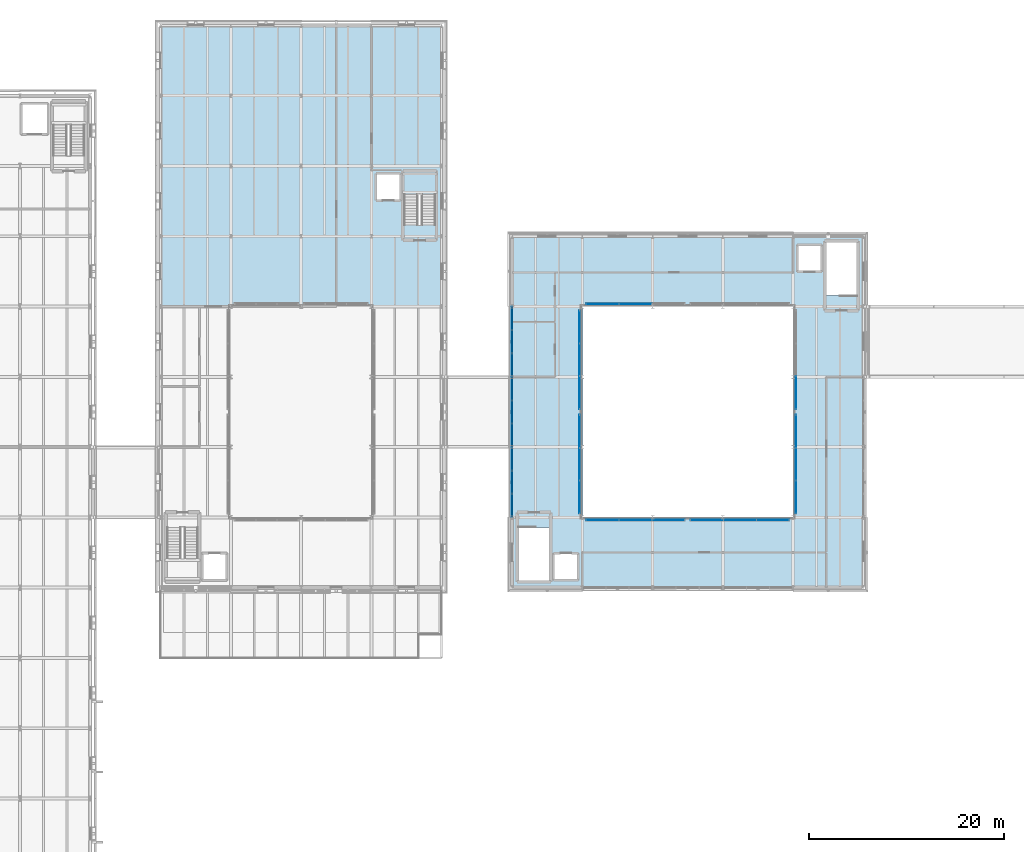
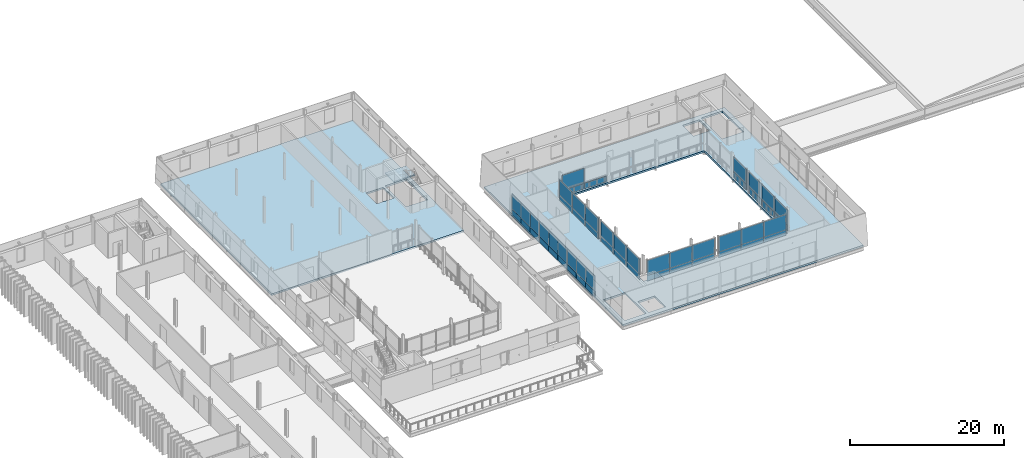
# One storey, part 48 of 91: 53 plates, 3 slabs, 11 elements without a shape of their own.
"""IFC4 building model written with IfcOpenShell, lengths in metres."""

import ifcopenshell
import ifcopenshell.guid

model = None  # the IFC model being written
_history = None  # IfcOwnerHistory: only IFC2X3 demands one
_inside = {}  # id of a spatial element -> (the spatial element, [elements in it])
_under = {}  # id of a project, library or spatial element -> (it, [spatial elements below it])
_declared = {}  # id of a project -> (the project, [libraries it declares])
_typed = {}  # id of a type object -> (the type object, [elements of that type])
_made_of = {}  # id of a material, layer set ... -> (it, [elements and type objects made of it])


def new_model(schema):
    """Start an empty IFC model of exactly this schema.

    Asked for "IFC4X3", IfcOpenShell would pick the latest addendum, in which some entities
    have other attributes; the version numbers below select the first issue.
    IFC2X3 requires an IfcOwnerHistory on every rooted entity: one is made here for all.
    """
    global model, _history
    if schema == "IFC4X3":
        model = ifcopenshell.file(schema_version=(4, 3, 0, 0))
    else:
        model = ifcopenshell.file(schema=schema)
    _inside.clear()
    _under.clear()
    _declared.clear()
    _typed.clear()
    _made_of.clear()
    _history = None
    if model.schema == "IFC2X3":
        org = make("IfcOrganization", Name="unknown")
        user = make(
            "IfcPersonAndOrganization",
            ThePerson=make("IfcPerson", FamilyName="unknown"),
            TheOrganization=org,
        )
        app = make(
            "IfcApplication",
            ApplicationDeveloper=org,
            Version="unknown",
            ApplicationFullName="unknown",
            ApplicationIdentifier="unknown",
        )
        _history = make(
            "IfcOwnerHistory",
            OwningUser=user,
            OwningApplication=app,
            ChangeAction="ADDED",
            CreationDate=0,
        )
    return model


def make(cls, **values):
    """One entity of the class cls with the attributes given. An attribute that is None is left unset."""
    return model.create_entity(
        cls, **{name: value for name, value in values.items() if value is not None}
    )


def rooted(cls, **values):
    """An entity with a GlobalId (a new one), such as an element, a storey or a relation."""
    return make(cls, GlobalId=ifcopenshell.guid.new(), OwnerHistory=_history, **values)


def si_unit(unit_type, name, prefix=None):
    """IfcSIUnit, for example si_unit("LENGTHUNIT", "METRE", prefix="MILLI")."""
    return make("IfcSIUnit", UnitType=unit_type, Prefix=prefix, Name=name)


def assignment(units):
    """IfcUnitAssignment: the units of a project."""
    return None if units is None else make("IfcUnitAssignment", Units=units)


def point(xyz):
    """IfcCartesianPoint."""
    return None if xyz is None else make("IfcCartesianPoint", Coordinates=xyz)


def direction(xyz):
    """IfcDirection."""
    return None if xyz is None else make("IfcDirection", DirectionRatios=xyz)


def frame(location, z_axis=None, x_axis=None):
    """IfcAxis2Placement3D, a coordinate frame: its origin and axes. An axis left out is left unset."""
    return make(
        "IfcAxis2Placement3D",
        Location=point(location),
        Axis=direction(z_axis),
        RefDirection=direction(x_axis),
    )


def frame_2d(location, x_axis=None):
    """IfcAxis2Placement2D, a coordinate frame in the plane: its origin and x axis."""
    return make(
        "IfcAxis2Placement2D", Location=point(location), RefDirection=direction(x_axis)
    )


def origin():
    """The frame at (0, 0, 0) with its axes left unset."""
    return frame((0.0, 0.0, 0.0))


def origin_2d():
    """The frame at (0, 0) in the plane with its x axis left unset."""
    return frame_2d((0.0, 0.0))


def place(relative_to, where):
    """IfcLocalPlacement: puts the frame where relative to a parent placement (None: the world)."""
    return make(
        "IfcLocalPlacement", PlacementRelTo=relative_to, RelativePlacement=where
    )


def context(
    kind, dimensions, precision=None, world=None, true_north=None, identifier=None
):
    """IfcGeometricRepresentationContext, for example the 3D "Model" context."""
    return make(
        "IfcGeometricRepresentationContext",
        ContextIdentifier=identifier,
        ContextType=kind,
        CoordinateSpaceDimension=dimensions,
        Precision=precision,
        WorldCoordinateSystem=world,
        TrueNorth=true_north,
    )


def subcontext(parent, identifier, kind, view, scale=None):
    """IfcGeometricRepresentationSubContext, for example "Body" below "Model"."""
    return make(
        "IfcGeometricRepresentationSubContext",
        ContextIdentifier=identifier,
        ContextType=kind,
        ParentContext=parent,
        TargetScale=scale,
        TargetView=view,
    )


def project(units=None, contexts=None):
    """IfcProject with its units and contexts."""
    return rooted(
        "IfcProject",
        Name="project",
        RepresentationContexts=contexts,
        UnitsInContext=assignment(units),
    )


def spatial(cls, under=None, at=None, **own):
    """A site, building, storey or space (cls), placed at a placement, below another one or the project."""
    s = rooted(cls, ObjectPlacement=at, **own)
    if under is not None:
        _under.setdefault(under.id(), (under, []))[1].append(s)
    return s


def polyline(points):
    """IfcPolyline through the points."""
    return make("IfcPolyline", Points=[point(p) for p in points])


def profile(cls, at=None, kind="AREA", **sizes):
    """A parametric profile (cls). Its sizes go by their IFC names, for example OverallWidth=200.0."""
    return make(cls, ProfileType=kind, Position=at, **sizes)


def rectangle(**sizes):
    """IfcRectangleProfileDef."""
    return profile("IfcRectangleProfileDef", **sizes)


def outline(outer, holes=None, kind="AREA"):
    """IfcArbitraryClosedProfileDef: a profile drawn as a closed curve; with holes, ...WithVoids."""
    if holes is None:
        return make("IfcArbitraryClosedProfileDef", ProfileType=kind, OuterCurve=outer)
    return make(
        "IfcArbitraryProfileDefWithVoids",
        ProfileType=kind,
        OuterCurve=outer,
        InnerCurves=holes,
    )


def extrude(swept, where, along, depth):
    """IfcExtrudedAreaSolid: the profile swept, set in the frame where, extruded along a direction by depth."""
    return make(
        "IfcExtrudedAreaSolid",
        SweptArea=swept,
        Position=where,
        ExtrudedDirection=direction(along),
        Depth=depth,
    )


def shape(context_of_items, identifier, shape_type, items):
    """IfcShapeRepresentation: the items that make up one representation, for example the "Body"."""
    return make(
        "IfcShapeRepresentation",
        ContextOfItems=context_of_items,
        RepresentationIdentifier=identifier,
        RepresentationType=shape_type,
        Items=items,
    )


def material(Name=None, Category=None):
    """IfcMaterial."""
    return make("IfcMaterial", Name=Name, Category=Category)


def layer(
    of_material, thickness, ventilated=None, Name=None, Category=None, Priority=None
):
    """IfcMaterialLayer: one layer of a wall or slab, of a material (None: an air gap)."""
    return make(
        "IfcMaterialLayer",
        Material=of_material,
        LayerThickness=thickness,
        IsVentilated=ventilated,
        Name=Name,
        Category=Category,
        Priority=Priority,
    )


def layer_set(layers, Name=None):
    """IfcMaterialLayerSet."""
    return make("IfcMaterialLayerSet", MaterialLayers=layers, LayerSetName=Name)


def made_of(thing, what):
    """Note that an element or type object is made of a material, layer set ...; save() writes the relation."""
    if what is not None:
        _made_of.setdefault(what.id(), (what, []))[1].append(thing)
    return thing


def type_object(cls, material=None, **own):
    """A type object (cls), such as IfcWallType, which elements share."""
    return made_of(rooted(cls, **own), material)


def element(
    cls,
    number,
    at=None,
    inside=None,
    cuts=None,
    type_object=None,
    material=None,
    context=None,
    identifier="Body",
    shape_type=None,
    held_by="IfcProductDefinitionShape",
    body=None,
    shapes=None,
    **own,
):
    """One element of the class cls, such as IfcWall. Its Tag is "e" and its number.

    at: its placement. inside: the storey or other place that contains it. cuts: it is an
    opening in that element (IfcRelVoidsElement). A single representation is given by context,
    identifier, shape_type and body (its items); several are given by shapes. held_by: the class
    of the entity that holds the representations. save() writes the other relations.
    """
    e = rooted(cls, Tag="e%d" % number, ObjectPlacement=at, **own)
    if body is not None:
        shapes = [shape(context, identifier, shape_type, body)]
    if shapes is not None:
        e.Representation = make(held_by, Representations=shapes)
    if inside is not None:
        _inside.setdefault(inside.id(), (inside, []))[1].append(e)
    if cuts is not None:
        rooted(
            "IfcRelVoidsElement", RelatingBuildingElement=cuts, RelatedOpeningElement=e
        )
    if type_object is not None:
        _typed.setdefault(type_object.id(), (type_object, []))[1].append(e)
    return made_of(e, material)


def aggregate(whole, parts):
    """IfcRelAggregates: a whole, such as a stair, and the parts it consists of."""
    return rooted("IfcRelAggregates", RelatingObject=whole, RelatedObjects=parts)


def save(model, path):
    """Write the relations noted so far, then the file.

    IfcRelAggregates (storeys below a building ...), IfcRelContainedInSpatialStructure (elements
    in a storey), IfcRelDefinesByType, IfcRelAssociatesMaterial and IfcRelDeclares: one each for
    every whole, place, type object, material and project.
    """
    for whole, parts in _under.values():
        aggregate(whole, parts)
    for where, things in _inside.values():
        rooted(
            "IfcRelContainedInSpatialStructure",
            RelatedElements=things,
            RelatingStructure=where,
        )
    for kind, things in _typed.values():
        rooted("IfcRelDefinesByType", RelatedObjects=things, RelatingType=kind)
    for what, things in _made_of.values():
        rooted("IfcRelAssociatesMaterial", RelatedObjects=things, RelatingMaterial=what)
    for by, libraries in _declared.values():
        rooted("IfcRelDeclares", RelatingContext=by, RelatedDefinitions=libraries)
    model.write(path)


model = new_model("IFC4")

# Units and contexts
model_context = context("Model", 3, precision=1e-05, world=origin(), true_north=direction((0.0, 1.0)))
body_context = subcontext(model_context, "Body", "Model", "MODEL_VIEW")
ifc_project = project(units=[si_unit("LENGTHUNIT", "METRE"), si_unit("AREAUNIT", "SQUARE_METRE"), si_unit("VOLUMEUNIT", "CUBIC_METRE"), si_unit("PLANEANGLEUNIT", "RADIAN"), si_unit("MASSUNIT", "GRAM", prefix="KILO")], contexts=[model_context])

# Site, building, storey
site_placement = place(None, origin())
site = spatial("IfcSite", under=ifc_project, at=site_placement, CompositionType="ELEMENT")
building_placement = place(site_placement, origin())
building = spatial("IfcBuilding", under=site, at=building_placement, Name="Narikvali Park Central Library", CompositionType="ELEMENT")
storey_placement = place(building_placement, frame((0.0, 0.0, 14.39990234375)))
storey = spatial("IfcBuildingStorey", under=building, at=storey_placement, Name="L03", CompositionType="ELEMENT", Elevation=14.39990234375)

# Slabs
ifc_material_1 = material(Name="Concrete C35/45", Category="concrete")
ifc_layer_1 = layer(ifc_material_1, 0.280029296875, Name="Concrete C35/45")
ifc_layer_set_1 = layer_set([ifc_layer_1], Name="Concrete C35/45")
slab_type_1 = type_object("IfcSlabType", Name="Composite Reading Floor Slab 280", PredefinedType="FLOOR", material=ifc_layer_set_1)
slab_1_placement = place(storey_placement, frame((0.0, 0.0, -0.27978515625)))
element("IfcSlab", 1, at=slab_1_placement, inside=storey, type_object=slab_type_1, Name="V1 L03 Structural Slab", PredefinedType="FLOOR", context=body_context, shape_type="SweptSolid", body=[
    extrude(outline(polyline([(64.800048828125, 57.60009765625), (100.800048828125, 57.60009765625), (100.800048828125, 93.60009765625), (64.800048828125, 93.60009765625), (64.800048828125, 57.60009765625)]), holes=[polyline([(65.449951171875, 58.300048828125), (68.64990234375, 58.300048828125), (68.64990234375, 63.75), (65.449951171875, 63.75), (65.449951171875, 58.300048828125)]), polyline([(69.050048828125, 58.35009765625), (71.60009765625, 58.35009765625), (71.60009765625, 61.14990234375), (69.050048828125, 61.14990234375), (69.050048828125, 58.35009765625)]), polyline([(96.949951171875, 87.550048828125), (100.14990234375, 87.550048828125), (100.14990234375, 93.0), (96.949951171875, 93.0), (96.949951171875, 87.550048828125)]), polyline([(94.0, 89.949951171875), (96.550048828125, 89.949951171875), (96.550048828125, 92.75), (94.0, 92.75), (94.0, 89.949951171875)]), polyline([(72.0, 64.800048828125), (93.60009765625, 64.800048828125), (93.60009765625, 86.39990234375), (72.0, 86.39990234375), (72.0, 64.800048828125)])]), origin(), (0.0, 0.0, 1.0), 0.27978515625),
])
slab_2_placement = place(storey_placement, frame((0.0, 0.0, -0.27978515625)))
element("IfcSlab", 2, at=slab_2_placement, inside=storey, type_object=slab_type_1, Name="V4 L03 Structural Slab Panel 2", PredefinedType="FLOOR", context=body_context, shape_type="SweptSolid", body=[
    extrude(outline(polyline([(28.800048828125, 86.39990234375), (57.60009765625, 86.39990234375), (57.60009765625, 115.199951171875), (28.800048828125, 115.199951171875), (28.800048828125, 86.39990234375)]), holes=[polyline([(53.75, 94.75), (56.949951171875, 94.75), (56.949951171875, 100.199951171875), (53.75, 100.199951171875), (53.75, 94.75)]), polyline([(50.85009765625, 97.25), (53.39990234375, 97.25), (53.39990234375, 100.050048828125), (50.85009765625, 100.050048828125), (50.85009765625, 97.25)])]), origin(), (0.0, 0.0, 1.0), 0.27978515625),
])

# Curtain wall, plate
ifc_material_2 = material(Name="Anodised Bronze Aluminium", Category="aluminium")
ifc_layer_2 = layer(ifc_material_2, 0.219970703125, Name="Anodised Bronze Aluminium")
ifc_layer_set_2 = layer_set([ifc_layer_2], Name="Anodised Bronze Aluminium")
curtain_wall_type_1 = type_object("IfcCurtainWallType", Name="Rotunda Drum Clerestory Curtain Wall", PredefinedType="NOTDEFINED", material=ifc_layer_set_2)
curtain_wall_1_placement = place(storey_placement, origin())
curtain_wall_1 = element("IfcCurtainWall", 3, at=curtain_wall_1_placement, inside=storey, type_object=curtain_wall_type_1, Name="Rotunda Drum Clerestory Curtain Wall CW-V1-L03-W-02", PredefinedType="NOTDEFINED")
ifc_material_3 = material(Name="Anodised Bronze Acoustic Spandrel Cassette")
ifc_layer_3 = layer(ifc_material_3, 0.1650390625, Name="Anodised Bronze Acoustic Spandrel Cassette")
ifc_layer_set_3 = layer_set([ifc_layer_3], Name="Anodised Bronze Acoustic Spandrel Cassette")
plate_type_1 = type_object("IfcPlateType", Name="Curtain Wall Acoustic Plenum Louvre Cassette 165", PredefinedType="CURTAIN_PANEL", material=ifc_layer_set_3)
plate_1_placement = place(storey_placement, frame((64.800048828125, 80.42529296875, 0.03515625), z_axis=(0.0, 0.0, 1.0), x_axis=(0.0, -1.0, 0.0)))
plate_1 = element("IfcPlate", 4, at=plate_1_placement, type_object=plate_type_1, Name="CW-V1-L03-W-02 Panel 02-0", PredefinedType="CURTAIN_PANEL", context=body_context, shape_type="SweptSolid", body=[
    extrude(rectangle(XDim=2.36474609375, YDim=0.1650390625, at=origin_2d()), origin(), (0.0, 0.0, 1.0), 0.860107421875),
])

curtain_wall_2_placement = place(storey_placement, origin())
curtain_wall_2 = element("IfcCurtainWall", 5, at=curtain_wall_2_placement, inside=storey, type_object=curtain_wall_type_1, Name="Rotunda Drum Clerestory Curtain Wall CW-V1-L03-W-03", PredefinedType="NOTDEFINED")
plate_2_placement = place(storey_placement, frame((64.800048828125, 75.60009765625, 0.03515625), z_axis=(0.0, 0.0, 1.0), x_axis=(0.0, -1.0, 0.0)))
plate_2 = element("IfcPlate", 6, at=plate_2_placement, type_object=plate_type_1, Name="CW-V1-L03-W-03 Panel 01-0", PredefinedType="CURTAIN_PANEL", context=body_context, shape_type="SweptSolid", body=[
    extrude(rectangle(XDim=2.36474609375, YDim=0.1650390625, at=origin_2d()), origin(), (0.0, 0.0, 1.0), 0.860107421875),
])

curtain_wall_3_placement = place(storey_placement, origin())
curtain_wall_3 = element("IfcCurtainWall", 7, at=curtain_wall_3_placement, inside=storey, type_object=curtain_wall_type_1, Name="Rotunda Drum Clerestory Curtain Wall CW-V1-L03-W-04", PredefinedType="NOTDEFINED")
plate_3_placement = place(storey_placement, frame((64.800048828125, 70.774658203125, 0.03515625), z_axis=(0.0, 0.0, 1.0), x_axis=(0.0, -1.0, 0.0)))
plate_3 = element("IfcPlate", 8, at=plate_3_placement, type_object=plate_type_1, Name="CW-V1-L03-W-04 Panel 00-0", PredefinedType="CURTAIN_PANEL", context=body_context, shape_type="SweptSolid", body=[
    extrude(rectangle(XDim=2.36474609375, YDim=0.1650390625, at=origin_2d()), origin(), (0.0, 0.0, 1.0), 0.860107421875),
])

# Plate
ifc_material_4 = material(Name="Heavy Acoustic Laminated Clerestory Glazing", Category="glass")
ifc_layer_4 = layer(ifc_material_4, 0.06396484375, Name="Heavy Acoustic Laminated Clerestory Glazing")
ifc_layer_set_4 = layer_set([ifc_layer_4], Name="Heavy Acoustic Laminated Clerestory Glazing")
plate_type_2 = type_object("IfcPlateType", Name="Curtain Wall Clerestory Laminated Acoustic Glass 64", PredefinedType="CURTAIN_PANEL", material=ifc_layer_set_4)
plate_4_placement = place(storey_placement, frame((64.800048828125, 77.974609375, 0.905029296875), z_axis=(0.0, 0.0, 1.0), x_axis=(0.0, -1.0, 0.0)))
plate_4 = element("IfcPlate", 9, at=plate_4_placement, type_object=plate_type_2, Name="CW-V1-L03-W-03 Panel 00-1", PredefinedType="CURTAIN_PANEL", context=body_context, shape_type="SweptSolid", body=[
    extrude(rectangle(XDim=2.36474609375, YDim=0.06396484375, at=origin_2d()), origin(), (0.0, 0.0, 1.0), 2.39990234375),
])

plate_5_placement = place(storey_placement, frame((64.800048828125, 75.60009765625, 0.905029296875), z_axis=(0.0, 0.0, 1.0), x_axis=(0.0, -1.0, 0.0)))
plate_5 = element("IfcPlate", 10, at=plate_5_placement, type_object=plate_type_2, Name="CW-V1-L03-W-03 Panel 01-1", PredefinedType="CURTAIN_PANEL", context=body_context, shape_type="SweptSolid", body=[
    extrude(rectangle(XDim=2.36474609375, YDim=0.06396484375, at=origin_2d()), origin(), (0.0, 0.0, 1.0), 2.39990234375),
])

plate_6_placement = place(storey_placement, frame((64.800048828125, 73.225341796875, 0.905029296875), z_axis=(0.0, 0.0, 1.0), x_axis=(0.0, -1.0, 0.0)))
plate_6 = element("IfcPlate", 11, at=plate_6_placement, type_object=plate_type_2, Name="CW-V1-L03-W-03 Panel 02-1", PredefinedType="CURTAIN_PANEL", context=body_context, shape_type="SweptSolid", body=[
    extrude(rectangle(XDim=2.36474609375, YDim=0.06396484375, at=origin_2d()), origin(), (0.0, 0.0, 1.0), 2.39990234375),
])

# Curtain wall, plates
ifc_layer_5 = layer(ifc_material_2, 0.219970703125, Name="Anodised Bronze Aluminium")
ifc_layer_set_5 = layer_set([ifc_layer_5], Name="Anodised Bronze Aluminium")
curtain_wall_type_2 = type_object("IfcCurtainWallType", Name="Atrium Tall Curtain Wall System", PredefinedType="NOTDEFINED", material=ifc_layer_set_5)
curtain_wall_4_placement = place(storey_placement, origin())
curtain_wall_4 = element("IfcCurtainWall", 12, at=curtain_wall_4_placement, inside=storey, type_object=curtain_wall_type_2, Name="Atrium Tall Curtain Wall System CW-INT-V1-L03-W2", PredefinedType="NOTDEFINED")
plate_7_placement = place(storey_placement, frame((71.719970703125, 77.583251953125, 0.905029296875), z_axis=(0.0, 0.0, 1.0), x_axis=(0.0, 1.0, 0.0)))
plate_7 = element("IfcPlate", 13, at=plate_7_placement, type_object=plate_type_2, Name="CW-INT-V1-L03-W2 Panel 00-1", PredefinedType="CURTAIN_PANEL", context=body_context, shape_type="SweptSolid", body=[
    extrude(rectangle(XDim=3.356689453125, YDim=0.06396484375, at=origin_2d()), origin(), (0.0, 0.0, 1.0), 2.39990234375),
])
plate_8_placement = place(storey_placement, frame((71.719970703125, 80.949951171875, 0.905029296875), z_axis=(0.0, 0.0, 1.0), x_axis=(0.0, 1.0, 0.0)))
plate_8 = element("IfcPlate", 14, at=plate_8_placement, type_object=plate_type_2, Name="CW-INT-V1-L03-W2 Panel 01-1", PredefinedType="CURTAIN_PANEL", context=body_context, shape_type="SweptSolid", body=[
    extrude(rectangle(XDim=3.356689453125, YDim=0.06396484375, at=origin_2d()), origin(), (0.0, 0.0, 1.0), 2.39990234375),
])
plate_9_placement = place(storey_placement, frame((71.719970703125, 84.316650390625, 0.905029296875), z_axis=(0.0, 0.0, 1.0), x_axis=(0.0, 1.0, 0.0)))
plate_9 = element("IfcPlate", 15, at=plate_9_placement, type_object=plate_type_2, Name="CW-INT-V1-L03-W2 Panel 02-1", PredefinedType="CURTAIN_PANEL", context=body_context, shape_type="SweptSolid", body=[
    extrude(rectangle(XDim=3.356689453125, YDim=0.06396484375, at=origin_2d()), origin(), (0.0, 0.0, 1.0), 2.39990234375),
])

curtain_wall_5_placement = place(storey_placement, origin())
curtain_wall_5 = element("IfcCurtainWall", 16, at=curtain_wall_5_placement, inside=storey, type_object=curtain_wall_type_2, Name="Atrium Tall Curtain Wall System CW-INT-V1-L03-E1", PredefinedType="NOTDEFINED")
plate_10_placement = place(storey_placement, frame((93.8798828125, 66.88330078125, 0.03515625), z_axis=(0.0, 0.0, 1.0), x_axis=(0.0, 1.0, 0.0)))
plate_10 = element("IfcPlate", 17, at=plate_10_placement, type_object=plate_type_2, Name="CW-INT-V1-L03-E1 Panel 00-0", PredefinedType="CURTAIN_PANEL", context=body_context, shape_type="SweptSolid", body=[
    extrude(rectangle(XDim=3.356689453125, YDim=0.06396484375, at=origin_2d()), origin(), (0.0, 0.0, 1.0), 0.860107421875),
])
plate_11_placement = place(storey_placement, frame((93.8798828125, 70.25, 0.03515625), z_axis=(0.0, 0.0, 1.0), x_axis=(0.0, 1.0, 0.0)))
plate_11 = element("IfcPlate", 18, at=plate_11_placement, type_object=plate_type_2, Name="CW-INT-V1-L03-E1 Panel 01-0", PredefinedType="CURTAIN_PANEL", context=body_context, shape_type="SweptSolid", body=[
    extrude(rectangle(XDim=3.356689453125, YDim=0.06396484375, at=origin_2d()), origin(), (0.0, 0.0, 1.0), 0.860107421875),
])
plate_12_placement = place(storey_placement, frame((93.8798828125, 73.61669921875, 0.03515625), z_axis=(0.0, 0.0, 1.0), x_axis=(0.0, 1.0, 0.0)))
plate_12 = element("IfcPlate", 19, at=plate_12_placement, type_object=plate_type_2, Name="CW-INT-V1-L03-E1 Panel 02-0", PredefinedType="CURTAIN_PANEL", context=body_context, shape_type="SweptSolid", body=[
    extrude(rectangle(XDim=3.356689453125, YDim=0.06396484375, at=origin_2d()), origin(), (0.0, 0.0, 1.0), 0.860107421875),
])

# Curtain wall, plate
curtain_wall_6_placement = place(storey_placement, origin())
curtain_wall_6 = element("IfcCurtainWall", 20, at=curtain_wall_6_placement, inside=storey, type_object=curtain_wall_type_2, Name="Atrium Tall Curtain Wall System CW-INT-V1-L03-N1", PredefinedType="NOTDEFINED")
plate_13_placement = place(storey_placement, frame((74.083251953125, 86.679931640625, 0.905029296875), z_axis=(0.0, 0.0, 1.0), x_axis=(1.0, 0.0, 0.0)))
plate_13 = element("IfcPlate", 21, at=plate_13_placement, type_object=plate_type_2, Name="CW-INT-V1-L03-N1 Panel 00-1", PredefinedType="CURTAIN_PANEL", context=body_context, shape_type="SweptSolid", body=[
    extrude(rectangle(XDim=3.356689453125, YDim=0.06396484375, at=origin_2d()), origin(), (0.0, 0.0, 1.0), 2.39990234375),
])

# Curtain wall, plates
curtain_wall_7_placement = place(storey_placement, origin())
curtain_wall_7 = element("IfcCurtainWall", 22, at=curtain_wall_7_placement, inside=storey, type_object=curtain_wall_type_2, Name="Atrium Tall Curtain Wall System CW-INT-V1-L03-S2", PredefinedType="NOTDEFINED")
plate_14_placement = place(storey_placement, frame((84.783203125, 64.52001953125, 0.905029296875), z_axis=(0.0, 0.0, 1.0), x_axis=(1.0, 0.0, 0.0)))
plate_14 = element("IfcPlate", 23, at=plate_14_placement, type_object=plate_type_2, Name="CW-INT-V1-L03-S2 Panel 00-1", PredefinedType="CURTAIN_PANEL", context=body_context, shape_type="SweptSolid", body=[
    extrude(rectangle(XDim=3.356689453125, YDim=0.06396484375, at=origin_2d()), origin(), (0.0, 0.0, 1.0), 2.39990234375),
])
plate_15_placement = place(storey_placement, frame((88.14990234375, 64.52001953125, 0.905029296875), z_axis=(0.0, 0.0, 1.0), x_axis=(1.0, 0.0, 0.0)))
plate_15 = element("IfcPlate", 24, at=plate_15_placement, type_object=plate_type_2, Name="CW-INT-V1-L03-S2 Panel 01-1", PredefinedType="CURTAIN_PANEL", context=body_context, shape_type="SweptSolid", body=[
    extrude(rectangle(XDim=3.356689453125, YDim=0.06396484375, at=origin_2d()), origin(), (0.0, 0.0, 1.0), 2.39990234375),
])
plate_16_placement = place(storey_placement, frame((91.5166015625, 64.52001953125, 0.905029296875), z_axis=(0.0, 0.0, 1.0), x_axis=(1.0, 0.0, 0.0)))
plate_16 = element("IfcPlate", 25, at=plate_16_placement, type_object=plate_type_2, Name="CW-INT-V1-L03-S2 Panel 02-1", PredefinedType="CURTAIN_PANEL", context=body_context, shape_type="SweptSolid", body=[
    extrude(rectangle(XDim=3.356689453125, YDim=0.06396484375, at=origin_2d()), origin(), (0.0, 0.0, 1.0), 2.39990234375),
])

# Plate
ifc_material_5 = material(Name="Double Low-E Tempered Vision Glazing", Category="glass")
ifc_layer_6 = layer(ifc_material_5, 0.035888671875, Name="Double Low-E Tempered Vision Glazing")
ifc_layer_set_6 = layer_set([ifc_layer_6], Name="Double Low-E Tempered Vision Glazing")
plate_type_3 = type_object("IfcPlateType", Name="Curtain Wall Double Low-E Vision Glazing 36", PredefinedType="CURTAIN_PANEL", material=ifc_layer_set_6)
plate_17_placement = place(storey_placement, frame((64.800048828125, 70.774658203125, 0.905029296875), z_axis=(0.0, 0.0, 1.0), x_axis=(0.0, -1.0, 0.0)))
plate_17 = element("IfcPlate", 26, at=plate_17_placement, type_object=plate_type_3, Name="CW-V1-L03-W-04 Panel 00-1", PredefinedType="CURTAIN_PANEL", context=body_context, shape_type="SweptSolid", body=[
    extrude(rectangle(XDim=2.36474609375, YDim=0.035888671875, at=origin_2d()), origin(), (0.0, 0.0, 1.0), 2.39990234375),
])

plate_18_placement = place(storey_placement, frame((64.800048828125, 68.39990234375, 0.905029296875), z_axis=(0.0, 0.0, 1.0), x_axis=(0.0, -1.0, 0.0)))
plate_18 = element("IfcPlate", 27, at=plate_18_placement, type_object=plate_type_3, Name="CW-V1-L03-W-04 Panel 01-1", PredefinedType="CURTAIN_PANEL", context=body_context, shape_type="SweptSolid", body=[
    extrude(rectangle(XDim=2.36474609375, YDim=0.035888671875, at=origin_2d()), origin(), (0.0, 0.0, 1.0), 2.39990234375),
])

plate_19_placement = place(storey_placement, frame((64.800048828125, 66.025390625, 0.905029296875), z_axis=(0.0, 0.0, 1.0), x_axis=(0.0, -1.0, 0.0)))
plate_19 = element("IfcPlate", 28, at=plate_19_placement, type_object=plate_type_3, Name="CW-V1-L03-W-04 Panel 02-1", PredefinedType="CURTAIN_PANEL", context=body_context, shape_type="SweptSolid", body=[
    extrude(rectangle(XDim=2.36474609375, YDim=0.035888671875, at=origin_2d()), origin(), (0.0, 0.0, 1.0), 2.39990234375),
])

# Curtain wall, plates
curtain_wall_8_placement = place(storey_placement, origin())
curtain_wall_8 = element("IfcCurtainWall", 29, at=curtain_wall_8_placement, inside=storey, type_object=curtain_wall_type_2, Name="Atrium Tall Curtain Wall System CW-INT-V1-L03-W1", PredefinedType="NOTDEFINED")
plate_20_placement = place(storey_placement, frame((71.719970703125, 66.88330078125, 0.03515625), z_axis=(0.0, 0.0, 1.0), x_axis=(0.0, 1.0, 0.0)))
plate_20 = element("IfcPlate", 30, at=plate_20_placement, type_object=plate_type_3, Name="CW-INT-V1-L03-W1 Panel 00-0", PredefinedType="CURTAIN_PANEL", context=body_context, shape_type="SweptSolid", body=[
    extrude(rectangle(XDim=3.356689453125, YDim=0.035888671875, at=origin_2d()), origin(), (0.0, 0.0, 1.0), 0.860107421875),
])
plate_21_placement = place(storey_placement, frame((71.719970703125, 70.25, 0.03515625), z_axis=(0.0, 0.0, 1.0), x_axis=(0.0, 1.0, 0.0)))
plate_21 = element("IfcPlate", 31, at=plate_21_placement, type_object=plate_type_3, Name="CW-INT-V1-L03-W1 Panel 01-0", PredefinedType="CURTAIN_PANEL", context=body_context, shape_type="SweptSolid", body=[
    extrude(rectangle(XDim=3.356689453125, YDim=0.035888671875, at=origin_2d()), origin(), (0.0, 0.0, 1.0), 0.860107421875),
])
plate_22_placement = place(storey_placement, frame((71.719970703125, 73.61669921875, 0.03515625), z_axis=(0.0, 0.0, 1.0), x_axis=(0.0, 1.0, 0.0)))
plate_22 = element("IfcPlate", 32, at=plate_22_placement, type_object=plate_type_3, Name="CW-INT-V1-L03-W1 Panel 02-0", PredefinedType="CURTAIN_PANEL", context=body_context, shape_type="SweptSolid", body=[
    extrude(rectangle(XDim=3.356689453125, YDim=0.035888671875, at=origin_2d()), origin(), (0.0, 0.0, 1.0), 0.860107421875),
])

# Plate
plate_23_placement = place(storey_placement, frame((93.8798828125, 66.88330078125, 0.905029296875), z_axis=(0.0, 0.0, 1.0), x_axis=(0.0, 1.0, 0.0)))
plate_23 = element("IfcPlate", 33, at=plate_23_placement, type_object=plate_type_3, Name="CW-INT-V1-L03-E1 Panel 00-1", PredefinedType="CURTAIN_PANEL", context=body_context, shape_type="SweptSolid", body=[
    extrude(rectangle(XDim=3.356689453125, YDim=0.035888671875, at=origin_2d()), origin(), (0.0, 0.0, 1.0), 2.39990234375),
])

plate_24_placement = place(storey_placement, frame((93.8798828125, 70.25, 0.905029296875), z_axis=(0.0, 0.0, 1.0), x_axis=(0.0, 1.0, 0.0)))
plate_24 = element("IfcPlate", 34, at=plate_24_placement, type_object=plate_type_3, Name="CW-INT-V1-L03-E1 Panel 01-1", PredefinedType="CURTAIN_PANEL", context=body_context, shape_type="SweptSolid", body=[
    extrude(rectangle(XDim=3.356689453125, YDim=0.035888671875, at=origin_2d()), origin(), (0.0, 0.0, 1.0), 2.39990234375),
])

plate_25_placement = place(storey_placement, frame((93.8798828125, 73.61669921875, 0.905029296875), z_axis=(0.0, 0.0, 1.0), x_axis=(0.0, 1.0, 0.0)))
plate_25 = element("IfcPlate", 35, at=plate_25_placement, type_object=plate_type_3, Name="CW-INT-V1-L03-E1 Panel 02-1", PredefinedType="CURTAIN_PANEL", context=body_context, shape_type="SweptSolid", body=[
    extrude(rectangle(XDim=3.356689453125, YDim=0.035888671875, at=origin_2d()), origin(), (0.0, 0.0, 1.0), 2.39990234375),
])

aggregate(curtain_wall_5, [plate_10, plate_23, plate_11, plate_24, plate_12, plate_25])

# Curtain wall, plate
curtain_wall_9_placement = place(storey_placement, origin())
curtain_wall_9 = element("IfcCurtainWall", 36, at=curtain_wall_9_placement, inside=storey, type_object=curtain_wall_type_2, Name="Atrium Tall Curtain Wall System CW-INT-V1-L03-E2", PredefinedType="NOTDEFINED")
plate_26_placement = place(storey_placement, frame((93.8798828125, 77.583251953125, 0.03515625), z_axis=(0.0, 0.0, 1.0), x_axis=(0.0, 1.0, 0.0)))
plate_26 = element("IfcPlate", 37, at=plate_26_placement, type_object=plate_type_3, Name="CW-INT-V1-L03-E2 Panel 00-0", PredefinedType="CURTAIN_PANEL", context=body_context, shape_type="SweptSolid", body=[
    extrude(rectangle(XDim=3.356689453125, YDim=0.035888671875, at=origin_2d()), origin(), (0.0, 0.0, 1.0), 0.860107421875),
])

# Curtain wall, plates
curtain_wall_10_placement = place(storey_placement, origin())
curtain_wall_10 = element("IfcCurtainWall", 38, at=curtain_wall_10_placement, inside=storey, type_object=curtain_wall_type_2, Name="Atrium Tall Curtain Wall System CW-INT-V1-L03-S1", PredefinedType="NOTDEFINED")
plate_27_placement = place(storey_placement, frame((74.083251953125, 64.52001953125, 0.03515625), z_axis=(0.0, 0.0, 1.0), x_axis=(1.0, 0.0, 0.0)))
plate_27 = element("IfcPlate", 39, at=plate_27_placement, type_object=plate_type_3, Name="CW-INT-V1-L03-S1 Panel 00-0", PredefinedType="CURTAIN_PANEL", context=body_context, shape_type="SweptSolid", body=[
    extrude(rectangle(XDim=3.356689453125, YDim=0.035888671875, at=origin_2d()), origin(), (0.0, 0.0, 1.0), 0.860107421875),
])
plate_28_placement = place(storey_placement, frame((77.449951171875, 64.52001953125, 0.03515625), z_axis=(0.0, 0.0, 1.0), x_axis=(1.0, 0.0, 0.0)))
plate_28 = element("IfcPlate", 40, at=plate_28_placement, type_object=plate_type_3, Name="CW-INT-V1-L03-S1 Panel 01-0", PredefinedType="CURTAIN_PANEL", context=body_context, shape_type="SweptSolid", body=[
    extrude(rectangle(XDim=3.356689453125, YDim=0.035888671875, at=origin_2d()), origin(), (0.0, 0.0, 1.0), 0.860107421875),
])
plate_29_placement = place(storey_placement, frame((80.816650390625, 64.52001953125, 0.03515625), z_axis=(0.0, 0.0, 1.0), x_axis=(1.0, 0.0, 0.0)))
plate_29 = element("IfcPlate", 41, at=plate_29_placement, type_object=plate_type_3, Name="CW-INT-V1-L03-S1 Panel 02-0", PredefinedType="CURTAIN_PANEL", context=body_context, shape_type="SweptSolid", body=[
    extrude(rectangle(XDim=3.356689453125, YDim=0.035888671875, at=origin_2d()), origin(), (0.0, 0.0, 1.0), 0.860107421875),
])

# Plate
ifc_material_6 = material(Name="Anodised Bronze Insulated Spandrel Cassette")
ifc_layer_7 = layer(ifc_material_6, 0.110107421875, Name="Anodised Bronze Insulated Spandrel Cassette")
ifc_layer_set_7 = layer_set([ifc_layer_7], Name="Anodised Bronze Insulated Spandrel Cassette")
plate_type_4 = type_object("IfcPlateType", Name="Curtain Wall Insulated Bronze Spandrel Cassette 110", PredefinedType="CURTAIN_PANEL", material=ifc_layer_set_7)
plate_30_placement = place(storey_placement, frame((64.800048828125, 85.1748046875, 0.03515625), z_axis=(0.0, 0.0, 1.0), x_axis=(0.0, -1.0, 0.0)))
plate_30 = element("IfcPlate", 42, at=plate_30_placement, type_object=plate_type_4, Name="CW-V1-L03-W-02 Panel 00-0", PredefinedType="CURTAIN_PANEL", context=body_context, shape_type="SweptSolid", body=[
    extrude(rectangle(XDim=2.36474609375, YDim=0.110107421875, at=origin_2d()), origin(), (0.0, 0.0, 1.0), 0.860107421875),
])

plate_31_placement = place(storey_placement, frame((64.800048828125, 73.225341796875, 0.03515625), z_axis=(0.0, 0.0, 1.0), x_axis=(0.0, -1.0, 0.0)))
plate_31 = element("IfcPlate", 43, at=plate_31_placement, type_object=plate_type_4, Name="CW-V1-L03-W-03 Panel 02-0", PredefinedType="CURTAIN_PANEL", context=body_context, shape_type="SweptSolid", body=[
    extrude(rectangle(XDim=2.36474609375, YDim=0.110107421875, at=origin_2d()), origin(), (0.0, 0.0, 1.0), 0.860107421875),
])

plate_32_placement = place(storey_placement, frame((64.800048828125, 68.39990234375, 0.03515625), z_axis=(0.0, 0.0, 1.0), x_axis=(0.0, -1.0, 0.0)))
plate_32 = element("IfcPlate", 44, at=plate_32_placement, type_object=plate_type_4, Name="CW-V1-L03-W-04 Panel 01-0", PredefinedType="CURTAIN_PANEL", context=body_context, shape_type="SweptSolid", body=[
    extrude(rectangle(XDim=2.36474609375, YDim=0.110107421875, at=origin_2d()), origin(), (0.0, 0.0, 1.0), 0.860107421875),
])

ifc_material_7 = material(Name="Mineral-Wool Shadow-Box Spandrel Assembly")
ifc_layer_8 = layer(ifc_material_7, 0.139892578125, Name="Mineral-Wool Shadow-Box Spandrel Assembly")
ifc_layer_set_8 = layer_set([ifc_layer_8], Name="Mineral-Wool Shadow-Box Spandrel Assembly")
plate_type_5 = type_object("IfcPlateType", Name="Curtain Wall Shadow-Box Mineral Spandrel Panel 140", PredefinedType="CURTAIN_PANEL", material=ifc_layer_set_8)
plate_33_placement = place(storey_placement, frame((64.800048828125, 82.800048828125, 0.03515625), z_axis=(0.0, 0.0, 1.0), x_axis=(0.0, -1.0, 0.0)))
plate_33 = element("IfcPlate", 45, at=plate_33_placement, type_object=plate_type_5, Name="CW-V1-L03-W-02 Panel 01-0", PredefinedType="CURTAIN_PANEL", context=body_context, shape_type="SweptSolid", body=[
    extrude(rectangle(XDim=2.36474609375, YDim=0.139892578125, at=origin_2d()), origin(), (0.0, 0.0, 1.0), 0.860107421875),
])

plate_34_placement = place(storey_placement, frame((64.800048828125, 77.974609375, 0.03515625), z_axis=(0.0, 0.0, 1.0), x_axis=(0.0, -1.0, 0.0)))
plate_34 = element("IfcPlate", 46, at=plate_34_placement, type_object=plate_type_5, Name="CW-V1-L03-W-03 Panel 00-0", PredefinedType="CURTAIN_PANEL", context=body_context, shape_type="SweptSolid", body=[
    extrude(rectangle(XDim=2.36474609375, YDim=0.139892578125, at=origin_2d()), origin(), (0.0, 0.0, 1.0), 0.860107421875),
])

aggregate(curtain_wall_2, [plate_34, plate_4, plate_2, plate_5, plate_31, plate_6])

plate_35_placement = place(storey_placement, frame((64.800048828125, 66.025390625, 0.03515625), z_axis=(0.0, 0.0, 1.0), x_axis=(0.0, -1.0, 0.0)))
plate_35 = element("IfcPlate", 47, at=plate_35_placement, type_object=plate_type_5, Name="CW-V1-L03-W-04 Panel 02-0", PredefinedType="CURTAIN_PANEL", context=body_context, shape_type="SweptSolid", body=[
    extrude(rectangle(XDim=2.36474609375, YDim=0.139892578125, at=origin_2d()), origin(), (0.0, 0.0, 1.0), 0.860107421875),
])

aggregate(curtain_wall_3, [plate_3, plate_17, plate_32, plate_18, plate_35, plate_19])

ifc_material_8 = material(Name="Triple Low-E Acoustic Laminated Glazing", Category="glass")
ifc_layer_9 = layer(ifc_material_8, 0.048095703125, Name="Triple Low-E Acoustic Laminated Glazing")
ifc_layer_set_9 = layer_set([ifc_layer_9], Name="Triple Low-E Acoustic Laminated Glazing")
plate_type_6 = type_object("IfcPlateType", Name="Curtain Wall Triple Solar-Acoustic Glazing 48", PredefinedType="CURTAIN_PANEL", material=ifc_layer_set_9)
plate_36_placement = place(storey_placement, frame((64.800048828125, 85.1748046875, 0.905029296875), z_axis=(0.0, 0.0, 1.0), x_axis=(0.0, -1.0, 0.0)))
plate_36 = element("IfcPlate", 48, at=plate_36_placement, type_object=plate_type_6, Name="CW-V1-L03-W-02 Panel 00-1", PredefinedType="CURTAIN_PANEL", context=body_context, shape_type="SweptSolid", body=[
    extrude(rectangle(XDim=2.36474609375, YDim=0.048095703125, at=origin_2d()), origin(), (0.0, 0.0, 1.0), 2.39990234375),
])

plate_37_placement = place(storey_placement, frame((64.800048828125, 82.800048828125, 0.905029296875), z_axis=(0.0, 0.0, 1.0), x_axis=(0.0, -1.0, 0.0)))
plate_37 = element("IfcPlate", 49, at=plate_37_placement, type_object=plate_type_6, Name="CW-V1-L03-W-02 Panel 01-1", PredefinedType="CURTAIN_PANEL", context=body_context, shape_type="SweptSolid", body=[
    extrude(rectangle(XDim=2.36474609375, YDim=0.048095703125, at=origin_2d()), origin(), (0.0, 0.0, 1.0), 2.39990234375),
])

plate_38_placement = place(storey_placement, frame((64.800048828125, 80.42529296875, 0.905029296875), z_axis=(0.0, 0.0, 1.0), x_axis=(0.0, -1.0, 0.0)))
plate_38 = element("IfcPlate", 50, at=plate_38_placement, type_object=plate_type_6, Name="CW-V1-L03-W-02 Panel 02-1", PredefinedType="CURTAIN_PANEL", context=body_context, shape_type="SweptSolid", body=[
    extrude(rectangle(XDim=2.36474609375, YDim=0.048095703125, at=origin_2d()), origin(), (0.0, 0.0, 1.0), 2.39990234375),
])

aggregate(curtain_wall_1, [plate_30, plate_36, plate_33, plate_37, plate_1, plate_38])

plate_39_placement = place(storey_placement, frame((71.719970703125, 66.88330078125, 0.905029296875), z_axis=(0.0, 0.0, 1.0), x_axis=(0.0, 1.0, 0.0)))
plate_39 = element("IfcPlate", 51, at=plate_39_placement, type_object=plate_type_6, Name="CW-INT-V1-L03-W1 Panel 00-1", PredefinedType="CURTAIN_PANEL", context=body_context, shape_type="SweptSolid", body=[
    extrude(rectangle(XDim=3.356689453125, YDim=0.048095703125, at=origin_2d()), origin(), (0.0, 0.0, 1.0), 2.39990234375),
])

plate_40_placement = place(storey_placement, frame((71.719970703125, 70.25, 0.905029296875), z_axis=(0.0, 0.0, 1.0), x_axis=(0.0, 1.0, 0.0)))
plate_40 = element("IfcPlate", 52, at=plate_40_placement, type_object=plate_type_6, Name="CW-INT-V1-L03-W1 Panel 01-1", PredefinedType="CURTAIN_PANEL", context=body_context, shape_type="SweptSolid", body=[
    extrude(rectangle(XDim=3.356689453125, YDim=0.048095703125, at=origin_2d()), origin(), (0.0, 0.0, 1.0), 2.39990234375),
])

plate_41_placement = place(storey_placement, frame((71.719970703125, 73.61669921875, 0.905029296875), z_axis=(0.0, 0.0, 1.0), x_axis=(0.0, 1.0, 0.0)))
plate_41 = element("IfcPlate", 53, at=plate_41_placement, type_object=plate_type_6, Name="CW-INT-V1-L03-W1 Panel 02-1", PredefinedType="CURTAIN_PANEL", context=body_context, shape_type="SweptSolid", body=[
    extrude(rectangle(XDim=3.356689453125, YDim=0.048095703125, at=origin_2d()), origin(), (0.0, 0.0, 1.0), 2.39990234375),
])

aggregate(curtain_wall_8, [plate_20, plate_39, plate_21, plate_40, plate_22, plate_41])

plate_42_placement = place(storey_placement, frame((71.719970703125, 77.583251953125, 0.03515625), z_axis=(0.0, 0.0, 1.0), x_axis=(0.0, 1.0, 0.0)))
plate_42 = element("IfcPlate", 54, at=plate_42_placement, type_object=plate_type_6, Name="CW-INT-V1-L03-W2 Panel 00-0", PredefinedType="CURTAIN_PANEL", context=body_context, shape_type="SweptSolid", body=[
    extrude(rectangle(XDim=3.356689453125, YDim=0.048095703125, at=origin_2d()), origin(), (0.0, 0.0, 1.0), 0.860107421875),
])

plate_43_placement = place(storey_placement, frame((71.719970703125, 80.949951171875, 0.03515625), z_axis=(0.0, 0.0, 1.0), x_axis=(0.0, 1.0, 0.0)))
plate_43 = element("IfcPlate", 55, at=plate_43_placement, type_object=plate_type_6, Name="CW-INT-V1-L03-W2 Panel 01-0", PredefinedType="CURTAIN_PANEL", context=body_context, shape_type="SweptSolid", body=[
    extrude(rectangle(XDim=3.356689453125, YDim=0.048095703125, at=origin_2d()), origin(), (0.0, 0.0, 1.0), 0.860107421875),
])

plate_44_placement = place(storey_placement, frame((71.719970703125, 84.316650390625, 0.03515625), z_axis=(0.0, 0.0, 1.0), x_axis=(0.0, 1.0, 0.0)))
plate_44 = element("IfcPlate", 56, at=plate_44_placement, type_object=plate_type_6, Name="CW-INT-V1-L03-W2 Panel 02-0", PredefinedType="CURTAIN_PANEL", context=body_context, shape_type="SweptSolid", body=[
    extrude(rectangle(XDim=3.356689453125, YDim=0.048095703125, at=origin_2d()), origin(), (0.0, 0.0, 1.0), 0.860107421875),
])

aggregate(curtain_wall_4, [plate_42, plate_7, plate_43, plate_8, plate_44, plate_9])

plate_45_placement = place(storey_placement, frame((93.8798828125, 77.583251953125, 0.905029296875), z_axis=(0.0, 0.0, 1.0), x_axis=(0.0, 1.0, 0.0)))
plate_45 = element("IfcPlate", 57, at=plate_45_placement, type_object=plate_type_6, Name="CW-INT-V1-L03-E2 Panel 00-1", PredefinedType="CURTAIN_PANEL", context=body_context, shape_type="SweptSolid", body=[
    extrude(rectangle(XDim=3.356689453125, YDim=0.048095703125, at=origin_2d()), origin(), (0.0, 0.0, 1.0), 2.39990234375),
])

aggregate(curtain_wall_9, [plate_26, plate_45])

plate_46_placement = place(storey_placement, frame((74.083251953125, 86.679931640625, 0.03515625), z_axis=(0.0, 0.0, 1.0), x_axis=(1.0, 0.0, 0.0)))
plate_46 = element("IfcPlate", 58, at=plate_46_placement, type_object=plate_type_6, Name="CW-INT-V1-L03-N1 Panel 00-0", PredefinedType="CURTAIN_PANEL", context=body_context, shape_type="SweptSolid", body=[
    extrude(rectangle(XDim=3.356689453125, YDim=0.048095703125, at=origin_2d()), origin(), (0.0, 0.0, 1.0), 0.860107421875),
])

plate_47_placement = place(storey_placement, frame((77.449951171875, 86.679931640625, 0.03515625), z_axis=(0.0, 0.0, 1.0), x_axis=(1.0, 0.0, 0.0)))
plate_47 = element("IfcPlate", 59, at=plate_47_placement, type_object=plate_type_6, Name="CW-INT-V1-L03-N1 Panel 01-0", PredefinedType="CURTAIN_PANEL", context=body_context, shape_type="SweptSolid", body=[
    extrude(rectangle(XDim=3.356689453125, YDim=0.048095703125, at=origin_2d()), origin(), (0.0, 0.0, 1.0), 0.860107421875),
])

aggregate(curtain_wall_6, [plate_46, plate_13, plate_47])

plate_48_placement = place(storey_placement, frame((74.083251953125, 64.52001953125, 0.905029296875), z_axis=(0.0, 0.0, 1.0), x_axis=(1.0, 0.0, 0.0)))
plate_48 = element("IfcPlate", 60, at=plate_48_placement, type_object=plate_type_6, Name="CW-INT-V1-L03-S1 Panel 00-1", PredefinedType="CURTAIN_PANEL", context=body_context, shape_type="SweptSolid", body=[
    extrude(rectangle(XDim=3.356689453125, YDim=0.048095703125, at=origin_2d()), origin(), (0.0, 0.0, 1.0), 2.39990234375),
])

plate_49_placement = place(storey_placement, frame((77.449951171875, 64.52001953125, 0.905029296875), z_axis=(0.0, 0.0, 1.0), x_axis=(1.0, 0.0, 0.0)))
plate_49 = element("IfcPlate", 61, at=plate_49_placement, type_object=plate_type_6, Name="CW-INT-V1-L03-S1 Panel 01-1", PredefinedType="CURTAIN_PANEL", context=body_context, shape_type="SweptSolid", body=[
    extrude(rectangle(XDim=3.356689453125, YDim=0.048095703125, at=origin_2d()), origin(), (0.0, 0.0, 1.0), 2.39990234375),
])

plate_50_placement = place(storey_placement, frame((80.816650390625, 64.52001953125, 0.905029296875), z_axis=(0.0, 0.0, 1.0), x_axis=(1.0, 0.0, 0.0)))
plate_50 = element("IfcPlate", 62, at=plate_50_placement, type_object=plate_type_6, Name="CW-INT-V1-L03-S1 Panel 02-1", PredefinedType="CURTAIN_PANEL", context=body_context, shape_type="SweptSolid", body=[
    extrude(rectangle(XDim=3.356689453125, YDim=0.048095703125, at=origin_2d()), origin(), (0.0, 0.0, 1.0), 2.39990234375),
])

aggregate(curtain_wall_10, [plate_27, plate_48, plate_28, plate_49, plate_29, plate_50])

plate_51_placement = place(storey_placement, frame((84.783203125, 64.52001953125, 0.03515625), z_axis=(0.0, 0.0, 1.0), x_axis=(1.0, 0.0, 0.0)))
plate_51 = element("IfcPlate", 63, at=plate_51_placement, type_object=plate_type_6, Name="CW-INT-V1-L03-S2 Panel 00-0", PredefinedType="CURTAIN_PANEL", context=body_context, shape_type="SweptSolid", body=[
    extrude(rectangle(XDim=3.356689453125, YDim=0.048095703125, at=origin_2d()), origin(), (0.0, 0.0, 1.0), 0.860107421875),
])

plate_52_placement = place(storey_placement, frame((88.14990234375, 64.52001953125, 0.03515625), z_axis=(0.0, 0.0, 1.0), x_axis=(1.0, 0.0, 0.0)))
plate_52 = element("IfcPlate", 64, at=plate_52_placement, type_object=plate_type_6, Name="CW-INT-V1-L03-S2 Panel 01-0", PredefinedType="CURTAIN_PANEL", context=body_context, shape_type="SweptSolid", body=[
    extrude(rectangle(XDim=3.356689453125, YDim=0.048095703125, at=origin_2d()), origin(), (0.0, 0.0, 1.0), 0.860107421875),
])

plate_53_placement = place(storey_placement, frame((91.5166015625, 64.52001953125, 0.03515625), z_axis=(0.0, 0.0, 1.0), x_axis=(1.0, 0.0, 0.0)))
plate_53 = element("IfcPlate", 65, at=plate_53_placement, type_object=plate_type_6, Name="CW-INT-V1-L03-S2 Panel 02-0", PredefinedType="CURTAIN_PANEL", context=body_context, shape_type="SweptSolid", body=[
    extrude(rectangle(XDim=3.356689453125, YDim=0.048095703125, at=origin_2d()), origin(), (0.0, 0.0, 1.0), 0.860107421875),
])

aggregate(curtain_wall_7, [plate_51, plate_14, plate_52, plate_15, plate_53, plate_16])

# Stair, slab
stair_type = type_object("IfcStairType", Name="Core Enclosed Two-Flight Exit Stair", PredefinedType="HALF_TURN_STAIR", material=ifc_material_1)
stair_placement = place(storey_placement, origin())
stair = element("IfcStair", 66, at=stair_placement, inside=storey, type_object=stair_type, Name="L03 Exit Stair ST-08", PredefinedType="HALF_TURN_STAIR")
ifc_layer_10 = layer(ifc_material_1, 0.199951171875, Name="Concrete C35/45")
ifc_layer_set_10 = layer_set([ifc_layer_10], Name="Concrete C35/45")
slab_type_2 = type_object("IfcSlabType", Name="Stair Half-Landing Concrete Slab 200", PredefinedType="LANDING", material=ifc_layer_set_10)
slab_3_placement = place(storey_placement, frame((0.0, 0.0, 1.900146484375)))
slab_3 = element("IfcSlab", 67, at=slab_3_placement, type_object=slab_type_2, Name="ST-08 landing 1", PredefinedType="LANDING", context=body_context, shape_type="SweptSolid", body=[
    extrude(outline(polyline([(56.949951171875, 97.885009765625), (56.949951171875, 100.199951171875), (53.75, 100.199951171875), (53.75, 97.885009765625), (56.949951171875, 97.885009765625)])), origin(), (0.0, 0.0, 1.0), 0.199951171875),
])
aggregate(stair, [slab_3])

save(model, "model.ifc")
